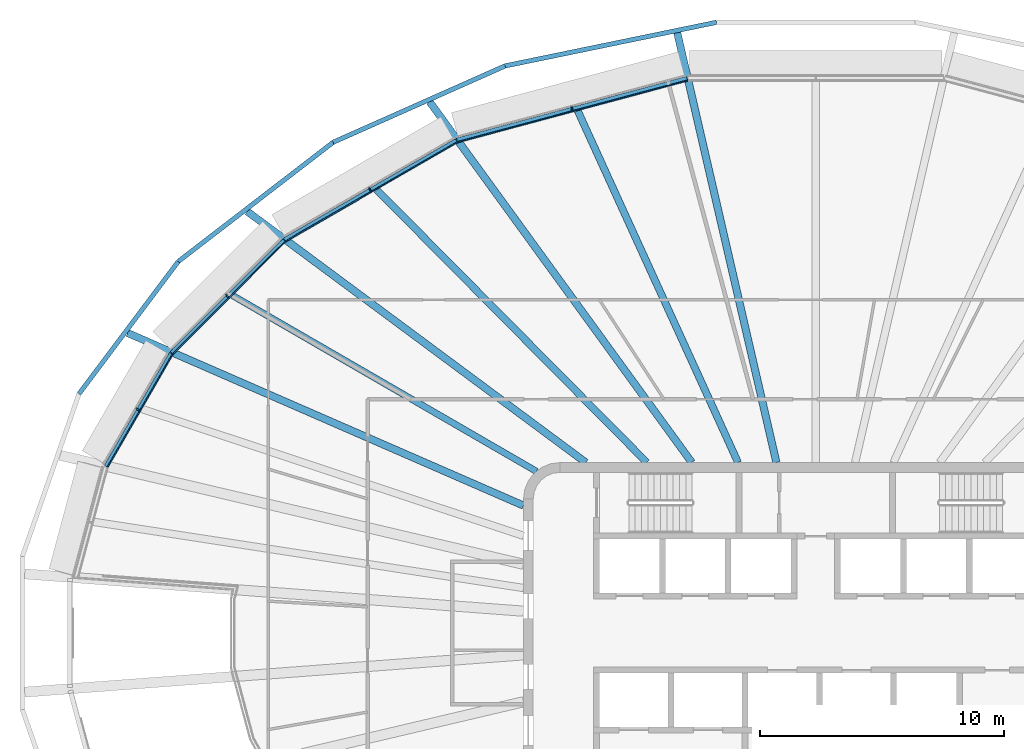
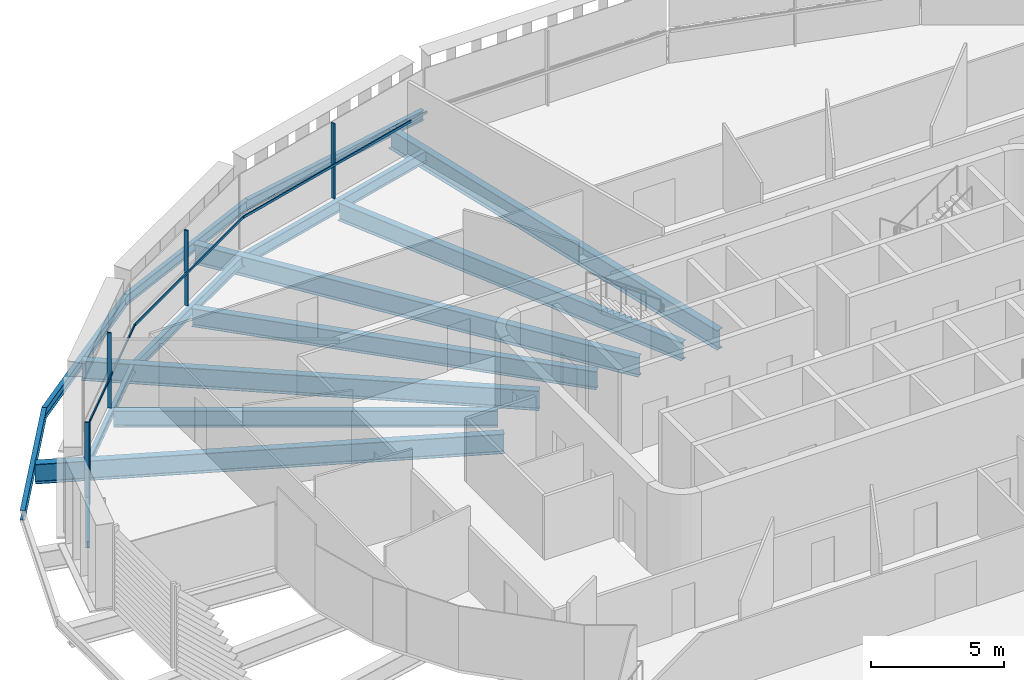
# One storey, part 5 of 20: 15 beams, 8 members, 4 elements without a shape of their own.
"""IFC4 building model written with IfcOpenShell, lengths in metres."""

from ifc_helpers import new_model, si_unit, direction, frame, origin, origin_2d, place, context, subcontext, project, spatial, rectangle, i_section, extrude, material, layer, layer_set, material_profile, profile_set, type_object, element, aggregate, save


model = new_model("IFC4")

# Units and contexts
model_context = context("Model", 3, precision=1e-05, world=origin(), true_north=direction((0.0, 1.0)))
body_context = subcontext(model_context, "Body", "Model", "MODEL_VIEW")
ifc_project = project(units=[si_unit("LENGTHUNIT", "METRE"), si_unit("AREAUNIT", "SQUARE_METRE"), si_unit("VOLUMEUNIT", "CUBIC_METRE"), si_unit("PLANEANGLEUNIT", "RADIAN"), si_unit("MASSUNIT", "GRAM", prefix="KILO")], contexts=[model_context])

# Site, building, storey
site_placement = place(None, origin())
site = spatial("IfcSite", under=ifc_project, at=site_placement, CompositionType="ELEMENT")
building_placement = place(site_placement, origin())
building = spatial("IfcBuilding", under=site, at=building_placement, Name="Sahrelin Media Tower", CompositionType="ELEMENT")
storey_placement = place(building_placement, frame((0.0, 0.0, 225.60009765625)))
storey = spatial("IfcBuildingStorey", under=building, at=storey_placement, Name="L48", CompositionType="ELEMENT", Elevation=225.60009765625)

# Beams
ifc_material_1 = material(Name="Steel S355", Category="steel")
ifc_material_profile_1 = material_profile(ifc_material_1, i_section(OverallWidth=0.1650390625, OverallDepth=0.303466796875, WebThickness=0.006103515625, FlangeThickness=0.01025390625, FilletRadius=0.0087890625, at=origin_2d()), Name="UB 305x165x40")
ifc_profile_set_1 = profile_set([ifc_material_profile_1], Name="Steel S355")
beam_type_1 = type_object("IfcBeamType", Name="Edge beam EB2", PredefinedType="BEAM", material=ifc_profile_set_1)
beam_1_placement = place(storey_placement, frame((-29.137451171875, 6.8408203125, -0.3017578125), z_axis=(0.500015657045, 0.866016363997, 0.0), x_axis=(-0.866016363997, 0.500015657045, 0.0)))
element("IfcBeam", 1, at=beam_1_placement, inside=storey, type_object=beam_type_1, Name="Edge beam L48-11", PredefinedType="BEAM", context=body_context, shape_type="SweptSolid", body=[
    extrude(i_section(OverallWidth=0.1650390625, OverallDepth=0.303466796875, WebThickness=0.006103515625, FlangeThickness=0.01025390625, FilletRadius=0.0087890625, at=origin_2d()), origin(), (0.0, 0.0, 1.0), 5.357666015625),
])
ifc_material_profile_2 = material_profile(ifc_material_1, i_section(OverallWidth=0.17138671875, OverallDepth=0.35498046875, WebThickness=0.00732421875, FlangeThickness=0.011474609375, FilletRadius=0.01025390625, at=origin_2d()), Name="UB 356x171x51")
ifc_profile_set_2 = profile_set([ifc_material_profile_2], Name="Steel S355")
beam_type_2 = type_object("IfcBeamType", Name="Edge beam EB3", PredefinedType="BEAM", material=ifc_profile_set_2)
beam_2_placement = place(storey_placement, frame((-26.44091796875, 11.50341796875, -0.32763671875), z_axis=(0.707088068965, 0.707125492913, 0.0), x_axis=(-0.707125492913, 0.707088068965, 0.0)))
element("IfcBeam", 2, at=beam_2_placement, inside=storey, type_object=beam_type_2, Name="Edge beam L48-12", PredefinedType="BEAM", context=body_context, shape_type="SweptSolid", body=[
    extrude(i_section(OverallWidth=0.17138671875, OverallDepth=0.35498046875, WebThickness=0.00732421875, FlangeThickness=0.011474609375, FilletRadius=0.01025390625, at=origin_2d()), origin(), (0.0, 0.0, 1.0), 6.523681640625),
])
ifc_material_profile_3 = material_profile(ifc_material_1, i_section(OverallWidth=0.1904296875, OverallDepth=0.45703125, WebThickness=0.009033203125, FlangeThickness=0.014404296875, FilletRadius=0.01025390625, at=origin_2d()), Name="UB 457x191x74")
ifc_profile_set_3 = profile_set([ifc_material_profile_3], Name="Steel S355")
beam_type_3 = type_object("IfcBeamType", Name="Edge beam EB5", PredefinedType="BEAM", material=ifc_profile_set_3)
beam_3_placement = place(storey_placement, frame((-21.80517578125, 16.1337890625, -0.378662109375), z_axis=(0.866012430043, 0.500022470507, 0.0), x_axis=(-0.500022470507, 0.866012430043, 0.0)))
element("IfcBeam", 3, at=beam_3_placement, inside=storey, type_object=beam_type_3, Name="Edge beam L48-13", PredefinedType="BEAM", context=body_context, shape_type="SweptSolid", body=[
    extrude(i_section(OverallWidth=0.1904296875, OverallDepth=0.45703125, WebThickness=0.009033203125, FlangeThickness=0.014404296875, FilletRadius=0.01025390625, at=origin_2d()), origin(), (0.0, 0.0, 1.0), 8.147705078125),
])
ifc_material_profile_4 = material_profile(ifc_material_1, i_section(OverallWidth=0.208740234375, OverallDepth=0.5283203125, WebThickness=0.009521484375, FlangeThickness=0.01318359375, FilletRadius=0.0126953125, at=origin_2d()), Name="UB 533x210x82")
ifc_profile_set_4 = profile_set([ifc_material_profile_4], Name="Steel S355")
beam_type_4 = type_object("IfcBeamType", Name="Edge beam EB6", PredefinedType="BEAM", material=ifc_profile_set_4)
beam_4_placement = place(storey_placement, frame((-14.72265625, 20.21875, -0.414306640625), z_axis=(0.965927541634, 0.258812643265, 0.0), x_axis=(-0.258812643265, 0.965927541634, 0.0)))
element("IfcBeam", 4, at=beam_4_placement, inside=storey, type_object=beam_type_4, Name="Edge beam L48-14", PredefinedType="BEAM", context=body_context, shape_type="SweptSolid", body=[
    extrude(i_section(OverallWidth=0.208740234375, OverallDepth=0.5283203125, WebThickness=0.009521484375, FlangeThickness=0.01318359375, FilletRadius=0.0126953125, at=origin_2d()), origin(), (0.0, 0.0, 1.0), 9.7763671875),
])

# Curtain wall, member
ifc_material_2 = material(Name="Champagne anodised aluminium 6063-T6", Category="aluminium")
ifc_layer = layer(ifc_material_2, 0.14990234375)
ifc_layer_set = layer_set([ifc_layer], Name="Tower ribbon curtain wall")
curtain_wall_type = type_object("IfcCurtainWallType", Name="Tower ribbon curtain wall", PredefinedType="NOTDEFINED", material=ifc_layer_set)
curtain_wall_1_placement = place(storey_placement, frame((-10.039794921875, 21.628662109375, 0.0), z_axis=(0.0, 0.0, 1.0), x_axis=(1.0, 0.0, 0.0)))
curtain_wall_1 = element("IfcCurtainWall", 5, at=curtain_wall_1_placement, inside=storey, type_object=curtain_wall_type, Name="L48:CW:L48-07", PredefinedType="NOTDEFINED")
ifc_material_profile_5 = material_profile(ifc_material_2, rectangle(XDim=0.06005859375, YDim=0.175048828125, at=origin_2d()), Name="Mullion 60x175")
ifc_profile_set_5 = profile_set([ifc_material_profile_5], Name="Champagne anodised aluminium 6063-T6")
member_type_1 = type_object("IfcMemberType", Name="Mullion 60x175 CW1B", PredefinedType="MULLION", material=ifc_profile_set_5)
member_1_placement = place(storey_placement, frame((-10.011962890625, 21.52490234375, 0.0), z_axis=(0.0, 0.0, 1.0), x_axis=(-0.965926278012, -0.258817359244, 0.0)))
member_1 = element("IfcMember", 6, at=member_1_placement, type_object=member_type_1, Name="L48:CWM:L48-07", PredefinedType="MULLION", context=body_context, shape_type="SweptSolid", body=[
    extrude(rectangle(XDim=0.06005859375, YDim=0.175048828125, at=origin_2d()), origin(), (0.0, 0.0, 1.0), 3.448486328125),
])

curtain_wall_2_placement = place(storey_placement, frame((-18.352294921875, 18.30078125, 0.0), z_axis=(0.0, 0.0, 1.0), x_axis=(1.0, 0.0, 0.0)))
curtain_wall_2 = element("IfcCurtainWall", 7, at=curtain_wall_2_placement, inside=storey, type_object=curtain_wall_type, Name="L48:CW:L48-08", PredefinedType="NOTDEFINED")
member_2_placement = place(storey_placement, frame((-18.298583984375, 18.20751953125, 0.0), z_axis=(0.0, 0.0, 1.0), x_axis=(-0.866026276448, -0.4999984885, 0.0)))
member_2 = element("IfcMember", 8, at=member_2_placement, type_object=member_type_1, Name="L48:CWM:L48-08", PredefinedType="MULLION", context=body_context, shape_type="SweptSolid", body=[
    extrude(rectangle(XDim=0.06005859375, YDim=0.175048828125, at=origin_2d()), origin(), (0.0, 0.0, 1.0), 3.448486328125),
])

curtain_wall_3_placement = place(storey_placement, frame((-24.240478515625, 13.916015625, 0.0), z_axis=(0.0, 0.0, 1.0), x_axis=(1.0, 0.0, 0.0)))
curtain_wall_3 = element("IfcCurtainWall", 9, at=curtain_wall_3_placement, inside=storey, type_object=curtain_wall_type, Name="L48:CW:L48-09", PredefinedType="NOTDEFINED")
member_3_placement = place(storey_placement, frame((-24.16455078125, 13.840087890625, 0.0), z_axis=(0.0, 0.0, 1.0), x_axis=(-0.707106781187, -0.707106781187, 0.0)))
member_3 = element("IfcMember", 10, at=member_3_placement, type_object=member_type_1, Name="L48:CWM:L48-09", PredefinedType="MULLION", context=body_context, shape_type="SweptSolid", body=[
    extrude(rectangle(XDim=0.06005859375, YDim=0.175048828125, at=origin_2d()), origin(), (0.0, 0.0, 1.0), 3.448486328125),
])

curtain_wall_4_placement = place(storey_placement, frame((-27.927734375, 9.235595703125, 0.0), z_axis=(0.0, 0.0, 1.0), x_axis=(1.0, 0.0, 0.0)))
curtain_wall_4 = element("IfcCurtainWall", 11, at=curtain_wall_4_placement, inside=storey, type_object=curtain_wall_type, Name="L48:CW:L48-10", PredefinedType="NOTDEFINED")
member_4_placement = place(storey_placement, frame((-27.834716796875, 9.181884765625, 0.0), z_axis=(0.0, 0.0, 1.0), x_axis=(-0.500001511499, -0.866024531118, 0.0)))
member_4 = element("IfcMember", 12, at=member_4_placement, type_object=member_type_1, Name="L48:CWM:L48-10", PredefinedType="MULLION", context=body_context, shape_type="SweptSolid", body=[
    extrude(rectangle(XDim=0.06005859375, YDim=0.175048828125, at=origin_2d()), origin(), (0.0, 0.0, 1.0), 3.448486328125),
])

# Beams
ifc_material_profile_6 = material_profile(ifc_material_1, i_section(OverallWidth=0.30322265625, OverallDepth=0.903076171875, WebThickness=0.01513671875, FlangeThickness=0.020263671875, FilletRadius=0.01904296875, at=origin_2d()), Name="UB 914x305x201")
ifc_profile_set_6 = profile_set([ifc_material_profile_6], Name="Steel S355")
beam_type_5 = type_object("IfcBeamType", Name="Radial primary beam PB11", PredefinedType="BEAM", material=ifc_profile_set_6)
beam_5_placement = place(storey_placement, frame((-1.615234375, 7.0, -0.6015625), z_axis=(-0.224839811438, 0.974395740545, 0.0), x_axis=(-0.974395740545, -0.224839811438, 0.0)))
element("IfcBeam", 13, at=beam_5_placement, inside=storey, type_object=beam_type_5, Name="Radial beam L48-07", PredefinedType="BEAM", context=body_context, shape_type="SweptSolid", body=[
    extrude(i_section(OverallWidth=0.30322265625, OverallDepth=0.903076171875, WebThickness=0.01513671875, FlangeThickness=0.020263671875, FilletRadius=0.01904296875, at=origin_2d()), origin(), (0.0, 0.0, 1.0), 18.1064453125),
])
beam_6_placement = place(storey_placement, frame((-5.087890625, 7.0, -0.6015625), z_axis=(-0.587944035453, 0.808901607846, 0.0), x_axis=(-0.808901607846, -0.587944035453, 0.0)))
element("IfcBeam", 14, at=beam_6_placement, inside=storey, type_object=beam_type_5, Name="Radial beam L48-08", PredefinedType="BEAM", context=body_context, shape_type="SweptSolid", body=[
    extrude(i_section(OverallWidth=0.30322265625, OverallDepth=0.903076171875, WebThickness=0.01513671875, FlangeThickness=0.020263671875, FilletRadius=0.01904296875, at=origin_2d()), origin(), (0.0, 0.0, 1.0), 18.302001953125),
])
beam_7_placement = place(storey_placement, frame((-9.43994140625, 7.0, -0.6015625), z_axis=(-0.803256504136, 0.595633266838, 0.0), x_axis=(-0.595633266838, -0.803256504136, 0.0)))
element("IfcBeam", 15, at=beam_7_placement, inside=storey, type_object=beam_type_5, Name="Radial beam L48-09", PredefinedType="BEAM", context=body_context, shape_type="SweptSolid", body=[
    extrude(i_section(OverallWidth=0.30322265625, OverallDepth=0.903076171875, WebThickness=0.01513671875, FlangeThickness=0.020263671875, FilletRadius=0.01904296875, at=origin_2d()), origin(), (0.0, 0.0, 1.0), 17.30908203125),
])
beam_8_placement = place(storey_placement, frame((-12.0, 5.232177734375, -0.6015625), z_axis=(-0.916661563544, 0.399664331559, 0.0), x_axis=(-0.399664331559, -0.916661563544, 0.0)))
element("IfcBeam", 16, at=beam_8_placement, inside=storey, type_object=beam_type_5, Name="Radial beam L48-10", PredefinedType="BEAM", context=body_context, shape_type="SweptSolid", body=[
    extrude(i_section(OverallWidth=0.30322265625, OverallDepth=0.903076171875, WebThickness=0.01513671875, FlangeThickness=0.020263671875, FilletRadius=0.01904296875, at=origin_2d()), origin(), (0.0, 0.0, 1.0), 17.732177734375),
])
ifc_material_profile_7 = material_profile(ifc_material_1, i_section(OverallWidth=0.291748046875, OverallDepth=0.8349609375, WebThickness=0.013916015625, FlangeThickness=0.018798828125, FilletRadius=0.017822265625, at=origin_2d()), Name="UB 838x292x176")
ifc_profile_set_7 = profile_set([ifc_material_profile_7], Name="Steel S355")
beam_type_6 = type_object("IfcBeamType", Name="Radial secondary beam SB10", PredefinedType="BEAM", material=ifc_profile_set_7)
beam_9_placement = place(storey_placement, frame((-3.1904296875, 7.0, -0.567626953125), z_axis=(-0.414733659063, 0.909942850975, 0.0), x_axis=(-0.909942850975, -0.414733659063, 0.0)))
element("IfcBeam", 17, at=beam_9_placement, inside=storey, type_object=beam_type_6, Name="Secondary beam L48-07", PredefinedType="BEAM", context=body_context, shape_type="SweptSolid", body=[
    extrude(i_section(OverallWidth=0.291748046875, OverallDepth=0.8349609375, WebThickness=0.013916015625, FlangeThickness=0.018798828125, FilletRadius=0.017822265625, at=origin_2d()), origin(), (0.0, 0.0, 1.0), 15.866455078125),
])
beam_10_placement = place(storey_placement, frame((-6.93359375, 7.0, -0.567626953125), z_axis=(-0.703723553011, 0.710473898843, 0.0), x_axis=(-0.710473898843, -0.703723553011, 0.0)))
element("IfcBeam", 18, at=beam_10_placement, inside=storey, type_object=beam_type_6, Name="Secondary beam L48-08", PredefinedType="BEAM", context=body_context, shape_type="SweptSolid", body=[
    extrude(i_section(OverallWidth=0.291748046875, OverallDepth=0.8349609375, WebThickness=0.013916015625, FlangeThickness=0.018798828125, FilletRadius=0.017822265625, at=origin_2d()), origin(), (0.0, 0.0, 1.0), 15.768798828125),
])
ifc_material_profile_8 = material_profile(ifc_material_1, i_section(OverallWidth=0.26513671875, OverallDepth=0.75390625, WebThickness=0.0126953125, FlangeThickness=0.017578125, FilletRadius=0.0166015625, at=origin_2d()), Name="UB 762x267x147")
ifc_profile_set_8 = profile_set([ifc_material_profile_8], Name="Steel S355")
beam_type_7 = type_object("IfcBeamType", Name="Radial secondary beam SB9", PredefinedType="BEAM", material=ifc_profile_set_8)
beam_11_placement = place(storey_placement, frame((-11.464599609375, 6.634521484375, -0.527099609375), z_axis=(-0.865518905794, 0.500876255889, 0.0), x_axis=(-0.500876255889, -0.865518905794, 0.0)))
element("IfcBeam", 19, at=beam_11_placement, inside=storey, type_object=beam_type_7, Name="Secondary beam L48-09", PredefinedType="BEAM", context=body_context, shape_type="SweptSolid", body=[
    extrude(i_section(OverallWidth=0.26513671875, OverallDepth=0.75390625, WebThickness=0.0126953125, FlangeThickness=0.017578125, FilletRadius=0.0166015625, at=origin_2d()), origin(), (0.0, 0.0, 1.0), 14.43505859375),
])
ifc_material_profile_9 = material_profile(ifc_material_1, i_section(OverallWidth=0.1904296875, OverallDepth=0.45703125, WebThickness=0.009033203125, FlangeThickness=0.014404296875, FilletRadius=0.01025390625, at=origin_2d()), Name="UB 457x191x74")
ifc_profile_set_9 = profile_set([ifc_material_profile_9], Name="Steel S355")
beam_type_8 = type_object("IfcBeamType", Name="Tie chord TC5", PredefinedType="BEAM", material=ifc_profile_set_9)
beam_12_placement = place(storey_placement, frame((-4.073974609375, 25.072509765625, -0.378662109375), z_axis=(-0.979387737281, -0.201989257299, 0.0), x_axis=(0.201989257299, -0.979387737281, 0.0)))
element("IfcBeam", 20, at=beam_12_placement, inside=storey, type_object=beam_type_8, Name="Tie chord L48-07", PredefinedType="BEAM", context=body_context, shape_type="SweptSolid", body=[
    extrude(i_section(OverallWidth=0.1904296875, OverallDepth=0.45703125, WebThickness=0.009033203125, FlangeThickness=0.014404296875, FilletRadius=0.01025390625, at=origin_2d()), origin(), (0.0, 0.0, 1.0), 8.8681640625),
])
beam_13_placement = place(storey_placement, frame((-12.75927734375, 23.28125, -0.378662109375), z_axis=(-0.913827194027, -0.406103262061, 0.0), x_axis=(0.406103262061, -0.913827194027, 0.0)))
element("IfcBeam", 21, at=beam_13_placement, inside=storey, type_object=beam_type_8, Name="Tie chord L48-08", PredefinedType="BEAM", context=body_context, shape_type="SweptSolid", body=[
    extrude(i_section(OverallWidth=0.1904296875, OverallDepth=0.45703125, WebThickness=0.009033203125, FlangeThickness=0.014404296875, FilletRadius=0.01025390625, at=origin_2d()), origin(), (0.0, 0.0, 1.0), 7.721435546875),
])
beam_14_placement = place(storey_placement, frame((-19.8154296875, 20.1455078125, -0.378662109375), z_axis=(-0.792463332497, -0.609919557523, 0.0), x_axis=(0.609919557523, -0.792463332497, 0.0)))
element("IfcBeam", 22, at=beam_14_placement, inside=storey, type_object=beam_type_8, Name="Tie chord L48-09", PredefinedType="BEAM", context=body_context, shape_type="SweptSolid", body=[
    extrude(i_section(OverallWidth=0.1904296875, OverallDepth=0.45703125, WebThickness=0.009033203125, FlangeThickness=0.014404296875, FilletRadius=0.01025390625, at=origin_2d()), origin(), (0.0, 0.0, 1.0), 8.023193359375),
])
beam_15_placement = place(storey_placement, frame((-26.173583984375, 15.251953125, -0.378662109375), z_axis=(-0.600034521384, -0.799974107798, 0.0), x_axis=(0.799974107798, -0.600034521384, 0.0)))
element("IfcBeam", 23, at=beam_15_placement, inside=storey, type_object=beam_type_8, Name="Tie chord L48-10", PredefinedType="BEAM", context=body_context, shape_type="SweptSolid", body=[
    extrude(i_section(OverallWidth=0.1904296875, OverallDepth=0.45703125, WebThickness=0.009033203125, FlangeThickness=0.014404296875, FilletRadius=0.01025390625, at=origin_2d()), origin(), (0.0, 0.0, 1.0), 6.7890625),
])

# Member
ifc_material_profile_10 = material_profile(ifc_material_2, rectangle(XDim=0.050048828125, YDim=0.110107421875, at=origin_2d()), Name="Transom 50x110")
ifc_profile_set_10 = profile_set([ifc_material_profile_10], Name="Champagne anodised aluminium 6063-T6")
member_type_2 = type_object("IfcMemberType", Name="Transom 50x110 CW1B", PredefinedType="USERDEFINED", material=ifc_profile_set_10)
member_5_placement = place(storey_placement, frame((-5.2763671875, 22.677490234375, 1.599853515625), z_axis=(-0.965919870225, -0.258841272413, 0.0), x_axis=(0.258841272413, -0.965919870225, 0.0)))
member_5 = element("IfcMember", 24, at=member_5_placement, type_object=member_type_2, Name="L48:CWT:L48-07", ObjectType="TRANSOM", PredefinedType="USERDEFINED", context=body_context, shape_type="SweptSolid", body=[
    extrude(rectangle(XDim=0.050048828125, YDim=0.110107421875, at=origin_2d()), origin(), (0.0, 0.0, 1.0), 9.7451171875),
])

aggregate(curtain_wall_1, [member_1, member_5])

member_6_placement = place(storey_placement, frame((-14.727783203125, 20.13916015625, 1.599853515625), z_axis=(-0.866037312134, -0.499979373566, 0.0), x_axis=(0.499979373566, -0.866037312134, 0.0)))
member_6 = element("IfcMember", 25, at=member_6_placement, type_object=member_type_2, Name="L48:CWT:L48-08", ObjectType="TRANSOM", PredefinedType="USERDEFINED", context=body_context, shape_type="SweptSolid", body=[
    extrude(rectangle(XDim=0.050048828125, YDim=0.110107421875, at=origin_2d()), origin(), (0.0, 0.0, 1.0), 8.115966796875),
])

aggregate(curtain_wall_2, [member_2, member_6])

member_7_placement = place(storey_placement, frame((-21.789794921875, 16.055908203125, 1.599853515625), z_axis=(-0.707087978406, -0.707125583467, 0.0), x_axis=(0.707125583467, -0.707087978406, 0.0)))
member_7 = element("IfcMember", 26, at=member_7_placement, type_object=member_type_2, Name="L48:CWT:L48-09", ObjectType="TRANSOM", PredefinedType="USERDEFINED", context=body_context, shape_type="SweptSolid", body=[
    extrude(rectangle(XDim=0.050048828125, YDim=0.110107421875, at=origin_2d()), origin(), (0.0, 0.0, 1.0), 6.4921875),
])

aggregate(curtain_wall_3, [member_3, member_7])

member_8_placement = place(storey_placement, frame((-26.40576171875, 11.431884765625, 1.599853515625), z_axis=(-0.500004172341, -0.866022994869, 0.0), x_axis=(0.866022994869, -0.500004172341, 0.0)))
member_8 = element("IfcMember", 27, at=member_8_placement, type_object=member_type_2, Name="L48:CWT:L48-10", ObjectType="TRANSOM", PredefinedType="USERDEFINED", context=body_context, shape_type="SweptSolid", body=[
    extrude(rectangle(XDim=0.050048828125, YDim=0.110107421875, at=origin_2d()), origin(), (0.0, 0.0, 1.0), 5.326171875),
])

aggregate(curtain_wall_4, [member_4, member_8])

save(model, "model.ifc")
